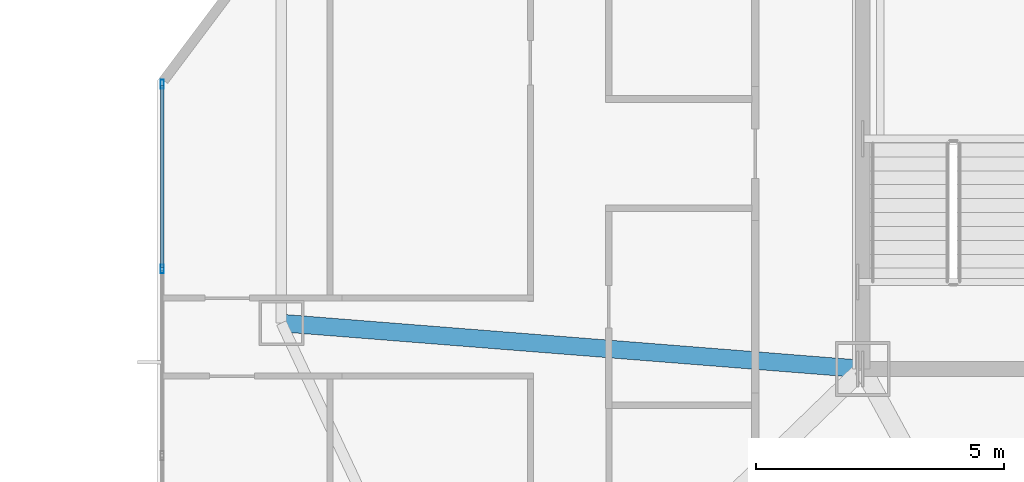
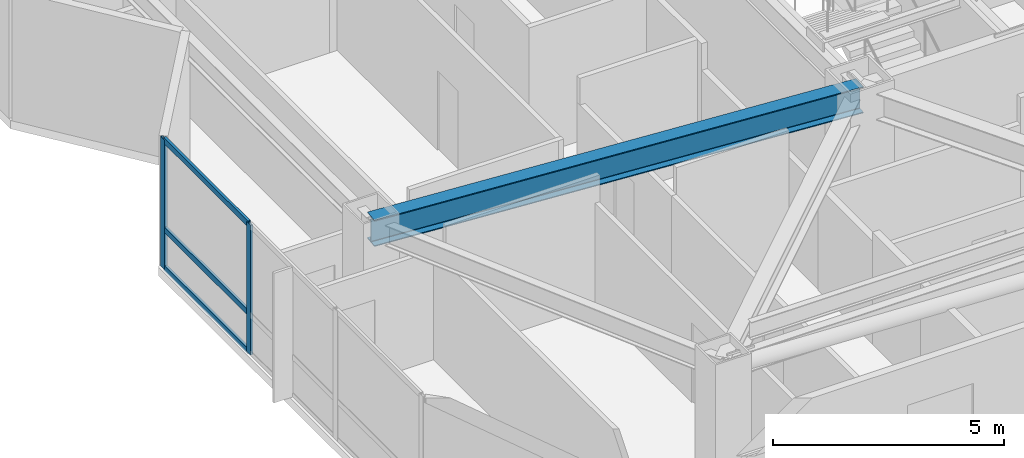
# One storey, part 4 of 17: 5 members, 1 beam, 1 element without a shape of its own.
"""IFC4 building model written with IfcOpenShell, lengths in metres."""

from ifc_helpers import new_model, si_unit, direction, frame, origin, origin_2d, place, context, subcontext, project, spatial, hollow_rectangle, i_section, extrude, material, material_profile, profile_set, type_object, element, aggregate, save


model = new_model("IFC4")

# Units and contexts
model_context = context("Model", 3, precision=1e-05, world=origin(), true_north=direction((0.0, 1.0)))
body_context = subcontext(model_context, "Body", "Model", "MODEL_VIEW")
ifc_project = project(units=[si_unit("LENGTHUNIT", "METRE"), si_unit("AREAUNIT", "SQUARE_METRE"), si_unit("VOLUMEUNIT", "CUBIC_METRE"), si_unit("PLANEANGLEUNIT", "RADIAN"), si_unit("MASSUNIT", "GRAM", prefix="KILO")], contexts=[model_context])

# Site, building, storey
site_placement = place(None, origin())
site = spatial("IfcSite", under=ifc_project, at=site_placement, CompositionType="ELEMENT")
building_placement = place(site_placement, origin())
building = spatial("IfcBuilding", under=site, at=building_placement, Name="Khamvora Tower", CompositionType="ELEMENT")
storey_placement = place(building_placement, frame((0.0, 0.0, 192.39990234375)))
storey = spatial("IfcBuildingStorey", under=building, at=storey_placement, Name="L49", CompositionType="ELEMENT", Elevation=192.39990234375)

# Beam
ifc_material_1 = material(Name="Steel S355", Category="steel")
ifc_material_profile_1 = material_profile(ifc_material_1, i_section(OverallWidth=0.35498046875, OverallDepth=0.695068359375, WebThickness=0.014892578125, FlangeThickness=0.02490234375, FilletRadius=0.01611328125, at=origin_2d()), Name="W690x217")
ifc_profile_set_1 = profile_set([ifc_material_profile_1], Name="Steel S355")
beam_type = type_object("IfcBeamType", Name="BM-PG-W690x217", PredefinedType="BEAM", material=ifc_profile_set_1)
beam_placement = place(storey_placement, frame((29.0, 19.0, 3.0830078125), z_axis=(-0.996888993668, 0.078818362728, 0.0), x_axis=(-0.078818362728, -0.996888993668, 0.0)))
element("IfcBeam", 1, at=beam_placement, inside=storey, type_object=beam_type, Name="L49 primary floor girder W1", PredefinedType="BEAM", context=body_context, shape_type="SweptSolid", body=[
    extrude(i_section(OverallWidth=0.35498046875, OverallDepth=0.695068359375, WebThickness=0.014892578125, FlangeThickness=0.02490234375, FilletRadius=0.01611328125, at=origin_2d()), origin(), (0.0, 0.0, 1.0), 11.736572265625),
])

# Curtain wall, members
ifc_material_2 = material(Name="Anodised Aluminium 6063-T6", Category="aluminium")
curtain_wall_type = type_object("IfcCurtainWallType", Name="CW-SYS-04", PredefinedType="NOTDEFINED", material=ifc_material_2)
curtain_wall_placement = place(storey_placement, origin())
curtain_wall = element("IfcCurtainWall", 2, at=curtain_wall_placement, inside=storey, type_object=curtain_wall_type, Name="L49 stick curtain wall 02.1", PredefinedType="NOTDEFINED")
ifc_material_profile_2 = material_profile(ifc_material_2, hollow_rectangle(XDim=0.06494140625, YDim=0.179931640625, WallThickness=0.0048828125, at=origin_2d()), Name="MUL65x180x5")
ifc_profile_set_2 = profile_set([ifc_material_profile_2], Name="Anodised Aluminium 6063-T6")
member_type_1 = type_object("IfcMemberType", Name="CW-SYS-04-MUL", PredefinedType="MULLION", material=ifc_profile_set_2)
member_1_placement = place(storey_placement, frame((14.89990234375, 21.0126953125, 0.0), z_axis=(0.0, 0.0, 1.0), x_axis=(-1.0, 0.0, 0.0)))
member_1 = element("IfcMember", 3, at=member_1_placement, type_object=member_type_1, Name="CW-04 mullion 3", PredefinedType="MULLION", context=body_context, shape_type="SweptSolid", body=[
    extrude(hollow_rectangle(XDim=0.06494140625, YDim=0.179931640625, WallThickness=0.0048828125, at=origin_2d()), origin(), (0.0, 0.0, 1.0), 3.43017578125),
])
member_2_placement = place(storey_placement, frame((14.89990234375, 24.734619140625, 0.0), z_axis=(0.0, 0.0, 1.0), x_axis=(-1.0, 0.0, 0.0)))
member_2 = element("IfcMember", 4, at=member_2_placement, type_object=member_type_1, Name="CW-04 mullion 4", PredefinedType="MULLION", context=body_context, shape_type="SweptSolid", body=[
    extrude(hollow_rectangle(XDim=0.06494140625, YDim=0.179931640625, WallThickness=0.0048828125, at=origin_2d()), origin(), (0.0, 0.0, 1.0), 3.43017578125),
])
ifc_material_profile_3 = material_profile(ifc_material_2, hollow_rectangle(XDim=0.06494140625, YDim=0.14990234375, WallThickness=0.0048828125, at=origin_2d()), Name="TRN65x150x5")
ifc_profile_set_3 = profile_set([ifc_material_profile_3], Name="Anodised Aluminium 6063-T6")
member_type_2 = type_object("IfcMemberType", Name="CW-SYS-04-TRN", PredefinedType="USERDEFINED", material=ifc_profile_set_3)
member_3_placement = place(storey_placement, frame((14.89990234375, 21.045166015625, 0.03271484375), z_axis=(0.0, 1.0, 0.0), x_axis=(-1.0, 0.0, 0.0)))
member_3 = element("IfcMember", 5, at=member_3_placement, type_object=member_type_2, Name="CW-04 transom 3.1", ObjectType="TRANSOM", PredefinedType="USERDEFINED", context=body_context, shape_type="SweptSolid", body=[
    extrude(hollow_rectangle(XDim=0.06494140625, YDim=0.14990234375, WallThickness=0.0048828125, at=origin_2d()), origin(), (0.0, 0.0, 1.0), 3.65673828125),
])
member_4_placement = place(storey_placement, frame((14.89990234375, 21.045166015625, 1.050048828125), z_axis=(0.0, 1.0, 0.0), x_axis=(-1.0, 0.0, 0.0)))
member_4 = element("IfcMember", 6, at=member_4_placement, type_object=member_type_2, Name="CW-04 transom 3.2", ObjectType="TRANSOM", PredefinedType="USERDEFINED", context=body_context, shape_type="SweptSolid", body=[
    extrude(hollow_rectangle(XDim=0.06494140625, YDim=0.14990234375, WallThickness=0.0048828125, at=origin_2d()), origin(), (0.0, 0.0, 1.0), 3.65673828125),
])
member_5_placement = place(storey_placement, frame((14.89990234375, 21.045166015625, 3.397705078125), z_axis=(0.0, 1.0, 0.0), x_axis=(-1.0, 0.0, 0.0)))
member_5 = element("IfcMember", 7, at=member_5_placement, type_object=member_type_2, Name="CW-04 transom 3.3", ObjectType="TRANSOM", PredefinedType="USERDEFINED", context=body_context, shape_type="SweptSolid", body=[
    extrude(hollow_rectangle(XDim=0.06494140625, YDim=0.14990234375, WallThickness=0.0048828125, at=origin_2d()), origin(), (0.0, 0.0, 1.0), 3.65673828125),
])
aggregate(curtain_wall, [member_1, member_2, member_3, member_4, member_5])

save(model, "model.ifc")
